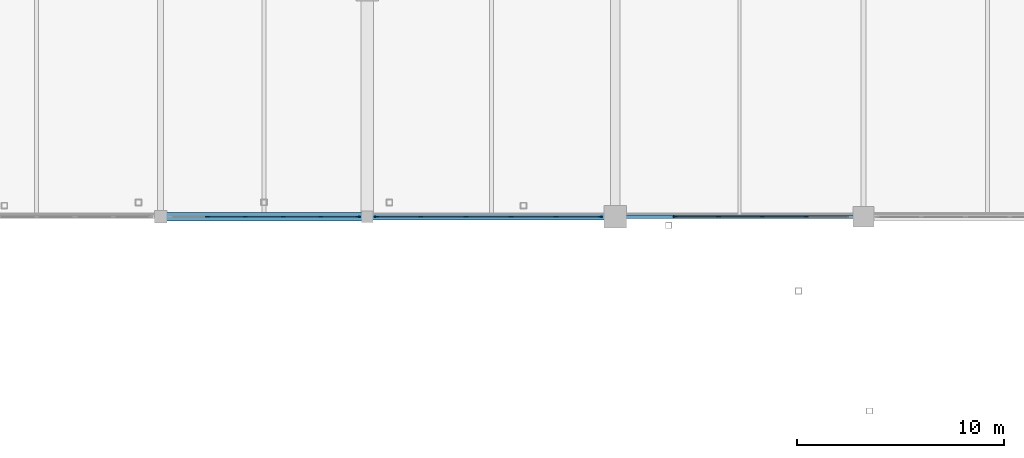
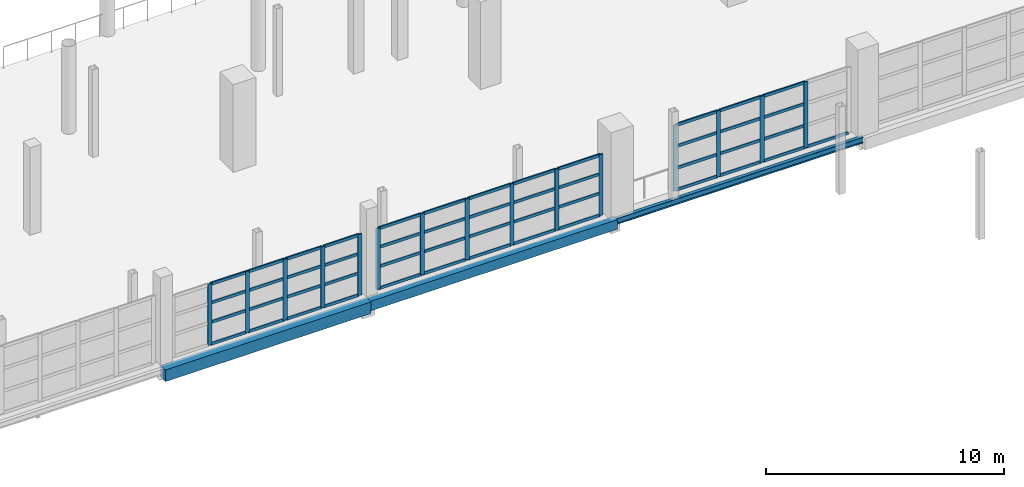
# One storey, part 45 of 118: 64 members, 3 beams, 3 elements without a shape of their own.
"""IFC4 building model written with IfcOpenShell, lengths in metres."""

from ifc_helpers import new_model, si_unit, direction, frame, origin, origin_2d, place, context, subcontext, project, spatial, rectangle, hollow_rectangle, i_section, extrude, material, material_profile, profile_set, type_object, element, aggregate, save


model = new_model("IFC4")

# Units and contexts
model_context = context("Model", 3, precision=1e-05, world=origin(), true_north=direction((0.0, 1.0)))
body_context = subcontext(model_context, "Body", "Model", "MODEL_VIEW")
ifc_project = project(units=[si_unit("LENGTHUNIT", "METRE"), si_unit("AREAUNIT", "SQUARE_METRE"), si_unit("VOLUMEUNIT", "CUBIC_METRE"), si_unit("PLANEANGLEUNIT", "RADIAN"), si_unit("MASSUNIT", "GRAM", prefix="KILO")], contexts=[model_context])

# Site, building, storey
site_placement = place(None, origin())
site = spatial("IfcSite", under=ifc_project, at=site_placement, CompositionType="ELEMENT")
building_placement = place(site_placement, origin())
building = spatial("IfcBuilding", under=site, at=building_placement, Name="Luwafu Chhajja Arena", CompositionType="ELEMENT")
storey_placement = place(building_placement, frame((0.0, 0.0, 10.199951171875)))
storey = spatial("IfcBuildingStorey", under=building, at=storey_placement, Name="L02", CompositionType="ELEMENT", Elevation=10.199951171875)

# Curtain wall, members
ifc_material_1 = material(Name="Anodised bronze aluminium", Category="aluminium")
curtain_wall_type = type_object("IfcCurtainWallType", Name="Hospitality Ring Curtain Wall", PredefinedType="USERDEFINED", material=ifc_material_1)
curtain_wall_1_placement = place(storey_placement, origin())
curtain_wall_1 = element("IfcCurtainWall", 1, at=curtain_wall_1_placement, inside=storey, type_object=curtain_wall_type, Name="L02 Bowl Viewing Curtain Wall CWR-L02-11", ObjectType="CURTAIN WALL", PredefinedType="USERDEFINED")
ifc_material_profile_1 = material_profile(ifc_material_1, rectangle(XDim=0.06494140625, YDim=0.199951171875, at=origin_2d()), Name="CWM 65x200")
ifc_profile_set_1 = profile_set([ifc_material_profile_1], Name="Anodised bronze aluminium")
member_type_1 = type_object("IfcMemberType", Name="Bronze Curtain Wall Mullion 65x200", PredefinedType="MULLION", material=ifc_profile_set_1)
member_1_placement = place(storey_placement, frame((96.26904296875, 77.0, 0.0), z_axis=(0.0, 0.0, 1.0), x_axis=(0.0, 1.0, 0.0)))
member_1 = element("IfcMember", 2, at=member_1_placement, type_object=member_type_1, Name="CW-02 mullion 2", PredefinedType="MULLION", context=body_context, shape_type="SweptSolid", body=[
    extrude(rectangle(XDim=0.06494140625, YDim=0.199951171875, at=origin_2d()), origin(), (0.0, 0.0, 1.0), 3.14013671875),
])
member_2_placement = place(storey_placement, frame((98.097900390625, 77.0, 0.0), z_axis=(0.0, 0.0, 1.0), x_axis=(0.0, 1.0, 0.0)))
member_2 = element("IfcMember", 3, at=member_2_placement, type_object=member_type_1, Name="CW-02 mullion 3", PredefinedType="MULLION", context=body_context, shape_type="SweptSolid", body=[
    extrude(rectangle(XDim=0.06494140625, YDim=0.199951171875, at=origin_2d()), origin(), (0.0, 0.0, 1.0), 3.14013671875),
])
member_3_placement = place(storey_placement, frame((99.927001953125, 77.0, 0.0), z_axis=(0.0, 0.0, 1.0), x_axis=(0.0, 1.0, 0.0)))
member_3 = element("IfcMember", 4, at=member_3_placement, type_object=member_type_1, Name="CW-02 mullion 4", PredefinedType="MULLION", context=body_context, shape_type="SweptSolid", body=[
    extrude(rectangle(XDim=0.06494140625, YDim=0.199951171875, at=origin_2d()), origin(), (0.0, 0.0, 1.0), 3.14013671875),
])
member_4_placement = place(storey_placement, frame((101.756103515625, 77.0, 0.0), z_axis=(0.0, 0.0, 1.0), x_axis=(0.0, 1.0, 0.0)))
member_4 = element("IfcMember", 5, at=member_4_placement, type_object=member_type_1, Name="CW-02 mullion 5", PredefinedType="MULLION", context=body_context, shape_type="SweptSolid", body=[
    extrude(rectangle(XDim=0.06494140625, YDim=0.199951171875, at=origin_2d()), origin(), (0.0, 0.0, 1.0), 3.14013671875),
])
member_5_placement = place(storey_placement, frame((103.552490234375, 77.0, 0.0), z_axis=(0.0, 0.0, 1.0), x_axis=(0.0, 1.0, 0.0)))
member_5 = element("IfcMember", 6, at=member_5_placement, type_object=member_type_1, Name="CW-02 mullion 6", PredefinedType="MULLION", context=body_context, shape_type="SweptSolid", body=[
    extrude(rectangle(XDim=0.06494140625, YDim=0.199951171875, at=origin_2d()), origin(), (0.0, 0.0, 1.0), 3.14013671875),
])

curtain_wall_2_placement = place(storey_placement, origin())
curtain_wall_2 = element("IfcCurtainWall", 7, at=curtain_wall_2_placement, inside=storey, type_object=curtain_wall_type, Name="L02 Bowl Viewing Curtain Wall CWR-L02-12", ObjectType="CURTAIN WALL", PredefinedType="USERDEFINED")
member_6_placement = place(storey_placement, frame((104.447509765625, 77.0, 0.0), z_axis=(0.0, 0.0, 1.0), x_axis=(0.0, 1.0, 0.0)))
member_6 = element("IfcMember", 8, at=member_6_placement, type_object=member_type_1, Name="CW-02 mullion 1", PredefinedType="MULLION", context=body_context, shape_type="SweptSolid", body=[
    extrude(rectangle(XDim=0.06494140625, YDim=0.199951171875, at=origin_2d()), origin(), (0.0, 0.0, 1.0), 3.14013671875),
])
member_7_placement = place(storey_placement, frame((106.593994140625, 77.0, 0.0), z_axis=(0.0, 0.0, 1.0), x_axis=(0.0, 1.0, 0.0)))
member_7 = element("IfcMember", 9, at=member_7_placement, type_object=member_type_1, Name="CW-02 mullion 2", PredefinedType="MULLION", context=body_context, shape_type="SweptSolid", body=[
    extrude(rectangle(XDim=0.06494140625, YDim=0.199951171875, at=origin_2d()), origin(), (0.0, 0.0, 1.0), 3.14013671875),
])
member_8_placement = place(storey_placement, frame((108.77294921875, 77.0, 0.0), z_axis=(0.0, 0.0, 1.0), x_axis=(0.0, 1.0, 0.0)))
member_8 = element("IfcMember", 10, at=member_8_placement, type_object=member_type_1, Name="CW-02 mullion 3", PredefinedType="MULLION", context=body_context, shape_type="SweptSolid", body=[
    extrude(rectangle(XDim=0.06494140625, YDim=0.199951171875, at=origin_2d()), origin(), (0.0, 0.0, 1.0), 3.14013671875),
])
member_9_placement = place(storey_placement, frame((110.951904296875, 77.0, 0.0), z_axis=(0.0, 0.0, 1.0), x_axis=(0.0, 1.0, 0.0)))
member_9 = element("IfcMember", 11, at=member_9_placement, type_object=member_type_1, Name="CW-02 mullion 4", PredefinedType="MULLION", context=body_context, shape_type="SweptSolid", body=[
    extrude(rectangle(XDim=0.06494140625, YDim=0.199951171875, at=origin_2d()), origin(), (0.0, 0.0, 1.0), 3.14013671875),
])
member_10_placement = place(storey_placement, frame((113.131103515625, 77.0, 0.0), z_axis=(0.0, 0.0, 1.0), x_axis=(0.0, 1.0, 0.0)))
member_10 = element("IfcMember", 12, at=member_10_placement, type_object=member_type_1, Name="CW-02 mullion 5", PredefinedType="MULLION", context=body_context, shape_type="SweptSolid", body=[
    extrude(rectangle(XDim=0.06494140625, YDim=0.199951171875, at=origin_2d()), origin(), (0.0, 0.0, 1.0), 3.14013671875),
])
member_11_placement = place(storey_placement, frame((115.277587890625, 77.0, 0.0), z_axis=(0.0, 0.0, 1.0), x_axis=(0.0, 1.0, 0.0)))
member_11 = element("IfcMember", 13, at=member_11_placement, type_object=member_type_1, Name="CW-02 mullion 6", PredefinedType="MULLION", context=body_context, shape_type="SweptSolid", body=[
    extrude(rectangle(XDim=0.06494140625, YDim=0.199951171875, at=origin_2d()), origin(), (0.0, 0.0, 1.0), 3.14013671875),
])

curtain_wall_3_placement = place(storey_placement, origin())
curtain_wall_3 = element("IfcCurtainWall", 14, at=curtain_wall_3_placement, inside=storey, type_object=curtain_wall_type, Name="L02 Bowl Viewing Curtain Wall CWR-L02-13", ObjectType="CURTAIN WALL", PredefinedType="USERDEFINED")
member_12_placement = place(storey_placement, frame((118.899169921875, 77.0, 0.0), z_axis=(0.0, 0.0, 1.0), x_axis=(0.0, 1.0, 0.0)))
member_12 = element("IfcMember", 15, at=member_12_placement, type_object=member_type_1, Name="CW-02 mullion 1", PredefinedType="MULLION", context=body_context, shape_type="SweptSolid", body=[
    extrude(rectangle(XDim=0.06494140625, YDim=0.199951171875, at=origin_2d()), origin(), (0.0, 0.0, 1.0), 3.39013671875),
])
member_13_placement = place(storey_placement, frame((120.989990234375, 77.0, 0.0), z_axis=(0.0, 0.0, 1.0), x_axis=(0.0, 1.0, 0.0)))
member_13 = element("IfcMember", 16, at=member_13_placement, type_object=member_type_1, Name="CW-02 mullion 2", PredefinedType="MULLION", context=body_context, shape_type="SweptSolid", body=[
    extrude(rectangle(XDim=0.06494140625, YDim=0.199951171875, at=origin_2d()), origin(), (0.0, 0.0, 1.0), 3.39013671875),
])
member_14_placement = place(storey_placement, frame((123.11328125, 77.0, 0.0), z_axis=(0.0, 0.0, 1.0), x_axis=(0.0, 1.0, 0.0)))
member_14 = element("IfcMember", 17, at=member_14_placement, type_object=member_type_1, Name="CW-02 mullion 3", PredefinedType="MULLION", context=body_context, shape_type="SweptSolid", body=[
    extrude(rectangle(XDim=0.06494140625, YDim=0.199951171875, at=origin_2d()), origin(), (0.0, 0.0, 1.0), 3.39013671875),
])
member_15_placement = place(storey_placement, frame((125.236572265625, 77.0, 0.0), z_axis=(0.0, 0.0, 1.0), x_axis=(0.0, 1.0, 0.0)))
member_15 = element("IfcMember", 18, at=member_15_placement, type_object=member_type_1, Name="CW-02 mullion 4", PredefinedType="MULLION", context=body_context, shape_type="SweptSolid", body=[
    extrude(rectangle(XDim=0.06494140625, YDim=0.199951171875, at=origin_2d()), origin(), (0.0, 0.0, 1.0), 3.39013671875),
])

# Member
ifc_material_profile_2 = material_profile(ifc_material_1, rectangle(XDim=0.06494140625, YDim=0.14990234375, at=origin_2d()), Name="CWT 65x150")
ifc_profile_set_2 = profile_set([ifc_material_profile_2], Name="Anodised bronze aluminium")
member_type_2 = type_object("IfcMemberType", Name="Bronze Curtain Wall Transom 65x150", PredefinedType="USERDEFINED", material=ifc_profile_set_2)
member_16_placement = place(storey_placement, frame((96.301513671875, 77.0, 0.032470703125), z_axis=(1.0, 0.0, 0.0), x_axis=(0.0, 1.0, 0.0)))
member_16 = element("IfcMember", 19, at=member_16_placement, type_object=member_type_2, Name="CW-02 transom 2.1", ObjectType="TRANSOM", PredefinedType="USERDEFINED", context=body_context, shape_type="SweptSolid", body=[
    extrude(rectangle(XDim=0.06494140625, YDim=0.14990234375, at=origin_2d()), origin(), (0.0, 0.0, 1.0), 1.763916015625),
])

member_17_placement = place(storey_placement, frame((96.301513671875, 77.0, 1.150146484375), z_axis=(1.0, 0.0, 0.0), x_axis=(0.0, 1.0, 0.0)))
member_17 = element("IfcMember", 20, at=member_17_placement, type_object=member_type_2, Name="CW-02 transom 2.2", ObjectType="TRANSOM", PredefinedType="USERDEFINED", context=body_context, shape_type="SweptSolid", body=[
    extrude(rectangle(XDim=0.06494140625, YDim=0.14990234375, at=origin_2d()), origin(), (0.0, 0.0, 1.0), 1.763916015625),
])

member_18_placement = place(storey_placement, frame((96.301513671875, 77.0, 2.14501953125), z_axis=(1.0, 0.0, 0.0), x_axis=(0.0, 1.0, 0.0)))
member_18 = element("IfcMember", 21, at=member_18_placement, type_object=member_type_2, Name="CW-02 transom 2.3", ObjectType="TRANSOM", PredefinedType="USERDEFINED", context=body_context, shape_type="SweptSolid", body=[
    extrude(rectangle(XDim=0.06494140625, YDim=0.14990234375, at=origin_2d()), origin(), (0.0, 0.0, 1.0), 1.763916015625),
])

member_19_placement = place(storey_placement, frame((96.301513671875, 77.0, 3.107666015625), z_axis=(1.0, 0.0, 0.0), x_axis=(0.0, 1.0, 0.0)))
member_19 = element("IfcMember", 22, at=member_19_placement, type_object=member_type_2, Name="CW-02 transom 2.4", ObjectType="TRANSOM", PredefinedType="USERDEFINED", context=body_context, shape_type="SweptSolid", body=[
    extrude(rectangle(XDim=0.06494140625, YDim=0.14990234375, at=origin_2d()), origin(), (0.0, 0.0, 1.0), 1.763916015625),
])

member_20_placement = place(storey_placement, frame((98.130615234375, 77.0, 0.032470703125), z_axis=(1.0, 0.0, 0.0), x_axis=(0.0, 1.0, 0.0)))
member_20 = element("IfcMember", 23, at=member_20_placement, type_object=member_type_2, Name="CW-02 transom 3.1", ObjectType="TRANSOM", PredefinedType="USERDEFINED", context=body_context, shape_type="SweptSolid", body=[
    extrude(rectangle(XDim=0.06494140625, YDim=0.14990234375, at=origin_2d()), origin(), (0.0, 0.0, 1.0), 1.763916015625),
])

member_21_placement = place(storey_placement, frame((98.130615234375, 77.0, 1.150146484375), z_axis=(1.0, 0.0, 0.0), x_axis=(0.0, 1.0, 0.0)))
member_21 = element("IfcMember", 24, at=member_21_placement, type_object=member_type_2, Name="CW-02 transom 3.2", ObjectType="TRANSOM", PredefinedType="USERDEFINED", context=body_context, shape_type="SweptSolid", body=[
    extrude(rectangle(XDim=0.06494140625, YDim=0.14990234375, at=origin_2d()), origin(), (0.0, 0.0, 1.0), 1.763916015625),
])

member_22_placement = place(storey_placement, frame((98.130615234375, 77.0, 2.14501953125), z_axis=(1.0, 0.0, 0.0), x_axis=(0.0, 1.0, 0.0)))
member_22 = element("IfcMember", 25, at=member_22_placement, type_object=member_type_2, Name="CW-02 transom 3.3", ObjectType="TRANSOM", PredefinedType="USERDEFINED", context=body_context, shape_type="SweptSolid", body=[
    extrude(rectangle(XDim=0.06494140625, YDim=0.14990234375, at=origin_2d()), origin(), (0.0, 0.0, 1.0), 1.763916015625),
])

member_23_placement = place(storey_placement, frame((98.130615234375, 77.0, 3.107666015625), z_axis=(1.0, 0.0, 0.0), x_axis=(0.0, 1.0, 0.0)))
member_23 = element("IfcMember", 26, at=member_23_placement, type_object=member_type_2, Name="CW-02 transom 3.4", ObjectType="TRANSOM", PredefinedType="USERDEFINED", context=body_context, shape_type="SweptSolid", body=[
    extrude(rectangle(XDim=0.06494140625, YDim=0.14990234375, at=origin_2d()), origin(), (0.0, 0.0, 1.0), 1.763916015625),
])

member_24_placement = place(storey_placement, frame((99.95947265625, 77.0, 0.032470703125), z_axis=(1.0, 0.0, 0.0), x_axis=(0.0, 1.0, 0.0)))
member_24 = element("IfcMember", 27, at=member_24_placement, type_object=member_type_2, Name="CW-02 transom 4.1", ObjectType="TRANSOM", PredefinedType="USERDEFINED", context=body_context, shape_type="SweptSolid", body=[
    extrude(rectangle(XDim=0.06494140625, YDim=0.14990234375, at=origin_2d()), origin(), (0.0, 0.0, 1.0), 1.763916015625),
])

member_25_placement = place(storey_placement, frame((99.95947265625, 77.0, 1.150146484375), z_axis=(1.0, 0.0, 0.0), x_axis=(0.0, 1.0, 0.0)))
member_25 = element("IfcMember", 28, at=member_25_placement, type_object=member_type_2, Name="CW-02 transom 4.2", ObjectType="TRANSOM", PredefinedType="USERDEFINED", context=body_context, shape_type="SweptSolid", body=[
    extrude(rectangle(XDim=0.06494140625, YDim=0.14990234375, at=origin_2d()), origin(), (0.0, 0.0, 1.0), 1.763916015625),
])

member_26_placement = place(storey_placement, frame((99.95947265625, 77.0, 2.14501953125), z_axis=(1.0, 0.0, 0.0), x_axis=(0.0, 1.0, 0.0)))
member_26 = element("IfcMember", 29, at=member_26_placement, type_object=member_type_2, Name="CW-02 transom 4.3", ObjectType="TRANSOM", PredefinedType="USERDEFINED", context=body_context, shape_type="SweptSolid", body=[
    extrude(rectangle(XDim=0.06494140625, YDim=0.14990234375, at=origin_2d()), origin(), (0.0, 0.0, 1.0), 1.763916015625),
])

member_27_placement = place(storey_placement, frame((99.95947265625, 77.0, 3.107666015625), z_axis=(1.0, 0.0, 0.0), x_axis=(0.0, 1.0, 0.0)))
member_27 = element("IfcMember", 30, at=member_27_placement, type_object=member_type_2, Name="CW-02 transom 4.4", ObjectType="TRANSOM", PredefinedType="USERDEFINED", context=body_context, shape_type="SweptSolid", body=[
    extrude(rectangle(XDim=0.06494140625, YDim=0.14990234375, at=origin_2d()), origin(), (0.0, 0.0, 1.0), 1.763916015625),
])

member_28_placement = place(storey_placement, frame((101.78857421875, 77.0, 0.032470703125), z_axis=(1.0, 0.0, 0.0), x_axis=(0.0, 1.0, 0.0)))
member_28 = element("IfcMember", 31, at=member_28_placement, type_object=member_type_2, Name="CW-02 transom 5.1", ObjectType="TRANSOM", PredefinedType="USERDEFINED", context=body_context, shape_type="SweptSolid", body=[
    extrude(rectangle(XDim=0.06494140625, YDim=0.14990234375, at=origin_2d()), origin(), (0.0, 0.0, 1.0), 1.7314453125),
])

member_29_placement = place(storey_placement, frame((101.78857421875, 77.0, 1.150146484375), z_axis=(1.0, 0.0, 0.0), x_axis=(0.0, 1.0, 0.0)))
member_29 = element("IfcMember", 32, at=member_29_placement, type_object=member_type_2, Name="CW-02 transom 5.2", ObjectType="TRANSOM", PredefinedType="USERDEFINED", context=body_context, shape_type="SweptSolid", body=[
    extrude(rectangle(XDim=0.06494140625, YDim=0.14990234375, at=origin_2d()), origin(), (0.0, 0.0, 1.0), 1.7314453125),
])

member_30_placement = place(storey_placement, frame((101.78857421875, 77.0, 2.14501953125), z_axis=(1.0, 0.0, 0.0), x_axis=(0.0, 1.0, 0.0)))
member_30 = element("IfcMember", 33, at=member_30_placement, type_object=member_type_2, Name="CW-02 transom 5.3", ObjectType="TRANSOM", PredefinedType="USERDEFINED", context=body_context, shape_type="SweptSolid", body=[
    extrude(rectangle(XDim=0.06494140625, YDim=0.14990234375, at=origin_2d()), origin(), (0.0, 0.0, 1.0), 1.7314453125),
])

member_31_placement = place(storey_placement, frame((101.78857421875, 77.0, 3.107666015625), z_axis=(1.0, 0.0, 0.0), x_axis=(0.0, 1.0, 0.0)))
member_31 = element("IfcMember", 34, at=member_31_placement, type_object=member_type_2, Name="CW-02 transom 5.4", ObjectType="TRANSOM", PredefinedType="USERDEFINED", context=body_context, shape_type="SweptSolid", body=[
    extrude(rectangle(XDim=0.06494140625, YDim=0.14990234375, at=origin_2d()), origin(), (0.0, 0.0, 1.0), 1.7314453125),
])

aggregate(curtain_wall_1, [member_1, member_2, member_3, member_4, member_5, member_16, member_17, member_18, member_19, member_20, member_21, member_22, member_23, member_24, member_25, member_26, member_27, member_28, member_29, member_30, member_31])

member_32_placement = place(storey_placement, frame((104.47998046875, 77.0, 0.032470703125), z_axis=(1.0, 0.0, 0.0), x_axis=(0.0, 1.0, 0.0)))
member_32 = element("IfcMember", 35, at=member_32_placement, type_object=member_type_2, Name="CW-02 transom 1.1", ObjectType="TRANSOM", PredefinedType="USERDEFINED", context=body_context, shape_type="SweptSolid", body=[
    extrude(rectangle(XDim=0.06494140625, YDim=0.14990234375, at=origin_2d()), origin(), (0.0, 0.0, 1.0), 2.08154296875),
])

member_33_placement = place(storey_placement, frame((104.47998046875, 77.0, 1.150146484375), z_axis=(1.0, 0.0, 0.0), x_axis=(0.0, 1.0, 0.0)))
member_33 = element("IfcMember", 36, at=member_33_placement, type_object=member_type_2, Name="CW-02 transom 1.2", ObjectType="TRANSOM", PredefinedType="USERDEFINED", context=body_context, shape_type="SweptSolid", body=[
    extrude(rectangle(XDim=0.06494140625, YDim=0.14990234375, at=origin_2d()), origin(), (0.0, 0.0, 1.0), 2.08154296875),
])

member_34_placement = place(storey_placement, frame((104.47998046875, 77.0, 2.14501953125), z_axis=(1.0, 0.0, 0.0), x_axis=(0.0, 1.0, 0.0)))
member_34 = element("IfcMember", 37, at=member_34_placement, type_object=member_type_2, Name="CW-02 transom 1.3", ObjectType="TRANSOM", PredefinedType="USERDEFINED", context=body_context, shape_type="SweptSolid", body=[
    extrude(rectangle(XDim=0.06494140625, YDim=0.14990234375, at=origin_2d()), origin(), (0.0, 0.0, 1.0), 2.08154296875),
])

member_35_placement = place(storey_placement, frame((104.47998046875, 77.0, 3.107666015625), z_axis=(1.0, 0.0, 0.0), x_axis=(0.0, 1.0, 0.0)))
member_35 = element("IfcMember", 38, at=member_35_placement, type_object=member_type_2, Name="CW-02 transom 1.4", ObjectType="TRANSOM", PredefinedType="USERDEFINED", context=body_context, shape_type="SweptSolid", body=[
    extrude(rectangle(XDim=0.06494140625, YDim=0.14990234375, at=origin_2d()), origin(), (0.0, 0.0, 1.0), 2.08154296875),
])

member_36_placement = place(storey_placement, frame((106.62646484375, 77.0, 0.032470703125), z_axis=(1.0, 0.0, 0.0), x_axis=(0.0, 1.0, 0.0)))
member_36 = element("IfcMember", 39, at=member_36_placement, type_object=member_type_2, Name="CW-02 transom 2.1", ObjectType="TRANSOM", PredefinedType="USERDEFINED", context=body_context, shape_type="SweptSolid", body=[
    extrude(rectangle(XDim=0.06494140625, YDim=0.14990234375, at=origin_2d()), origin(), (0.0, 0.0, 1.0), 2.114013671875),
])

member_37_placement = place(storey_placement, frame((106.62646484375, 77.0, 1.150146484375), z_axis=(1.0, 0.0, 0.0), x_axis=(0.0, 1.0, 0.0)))
member_37 = element("IfcMember", 40, at=member_37_placement, type_object=member_type_2, Name="CW-02 transom 2.2", ObjectType="TRANSOM", PredefinedType="USERDEFINED", context=body_context, shape_type="SweptSolid", body=[
    extrude(rectangle(XDim=0.06494140625, YDim=0.14990234375, at=origin_2d()), origin(), (0.0, 0.0, 1.0), 2.114013671875),
])

member_38_placement = place(storey_placement, frame((106.62646484375, 77.0, 2.14501953125), z_axis=(1.0, 0.0, 0.0), x_axis=(0.0, 1.0, 0.0)))
member_38 = element("IfcMember", 41, at=member_38_placement, type_object=member_type_2, Name="CW-02 transom 2.3", ObjectType="TRANSOM", PredefinedType="USERDEFINED", context=body_context, shape_type="SweptSolid", body=[
    extrude(rectangle(XDim=0.06494140625, YDim=0.14990234375, at=origin_2d()), origin(), (0.0, 0.0, 1.0), 2.114013671875),
])

member_39_placement = place(storey_placement, frame((106.62646484375, 77.0, 3.107666015625), z_axis=(1.0, 0.0, 0.0), x_axis=(0.0, 1.0, 0.0)))
member_39 = element("IfcMember", 42, at=member_39_placement, type_object=member_type_2, Name="CW-02 transom 2.4", ObjectType="TRANSOM", PredefinedType="USERDEFINED", context=body_context, shape_type="SweptSolid", body=[
    extrude(rectangle(XDim=0.06494140625, YDim=0.14990234375, at=origin_2d()), origin(), (0.0, 0.0, 1.0), 2.114013671875),
])

member_40_placement = place(storey_placement, frame((108.805419921875, 77.0, 0.032470703125), z_axis=(1.0, 0.0, 0.0), x_axis=(0.0, 1.0, 0.0)))
member_40 = element("IfcMember", 43, at=member_40_placement, type_object=member_type_2, Name="CW-02 transom 3.1", ObjectType="TRANSOM", PredefinedType="USERDEFINED", context=body_context, shape_type="SweptSolid", body=[
    extrude(rectangle(XDim=0.06494140625, YDim=0.14990234375, at=origin_2d()), origin(), (0.0, 0.0, 1.0), 2.114013671875),
])

member_41_placement = place(storey_placement, frame((108.805419921875, 77.0, 1.150146484375), z_axis=(1.0, 0.0, 0.0), x_axis=(0.0, 1.0, 0.0)))
member_41 = element("IfcMember", 44, at=member_41_placement, type_object=member_type_2, Name="CW-02 transom 3.2", ObjectType="TRANSOM", PredefinedType="USERDEFINED", context=body_context, shape_type="SweptSolid", body=[
    extrude(rectangle(XDim=0.06494140625, YDim=0.14990234375, at=origin_2d()), origin(), (0.0, 0.0, 1.0), 2.114013671875),
])

member_42_placement = place(storey_placement, frame((108.805419921875, 77.0, 2.14501953125), z_axis=(1.0, 0.0, 0.0), x_axis=(0.0, 1.0, 0.0)))
member_42 = element("IfcMember", 45, at=member_42_placement, type_object=member_type_2, Name="CW-02 transom 3.3", ObjectType="TRANSOM", PredefinedType="USERDEFINED", context=body_context, shape_type="SweptSolid", body=[
    extrude(rectangle(XDim=0.06494140625, YDim=0.14990234375, at=origin_2d()), origin(), (0.0, 0.0, 1.0), 2.114013671875),
])

member_43_placement = place(storey_placement, frame((108.805419921875, 77.0, 3.107666015625), z_axis=(1.0, 0.0, 0.0), x_axis=(0.0, 1.0, 0.0)))
member_43 = element("IfcMember", 46, at=member_43_placement, type_object=member_type_2, Name="CW-02 transom 3.4", ObjectType="TRANSOM", PredefinedType="USERDEFINED", context=body_context, shape_type="SweptSolid", body=[
    extrude(rectangle(XDim=0.06494140625, YDim=0.14990234375, at=origin_2d()), origin(), (0.0, 0.0, 1.0), 2.114013671875),
])

member_44_placement = place(storey_placement, frame((110.984619140625, 77.0, 0.032470703125), z_axis=(1.0, 0.0, 0.0), x_axis=(0.0, 1.0, 0.0)))
member_44 = element("IfcMember", 47, at=member_44_placement, type_object=member_type_2, Name="CW-02 transom 4.1", ObjectType="TRANSOM", PredefinedType="USERDEFINED", context=body_context, shape_type="SweptSolid", body=[
    extrude(rectangle(XDim=0.06494140625, YDim=0.14990234375, at=origin_2d()), origin(), (0.0, 0.0, 1.0), 2.11376953125),
])

member_45_placement = place(storey_placement, frame((110.984619140625, 77.0, 1.150146484375), z_axis=(1.0, 0.0, 0.0), x_axis=(0.0, 1.0, 0.0)))
member_45 = element("IfcMember", 48, at=member_45_placement, type_object=member_type_2, Name="CW-02 transom 4.2", ObjectType="TRANSOM", PredefinedType="USERDEFINED", context=body_context, shape_type="SweptSolid", body=[
    extrude(rectangle(XDim=0.06494140625, YDim=0.14990234375, at=origin_2d()), origin(), (0.0, 0.0, 1.0), 2.11376953125),
])

member_46_placement = place(storey_placement, frame((110.984619140625, 77.0, 2.14501953125), z_axis=(1.0, 0.0, 0.0), x_axis=(0.0, 1.0, 0.0)))
member_46 = element("IfcMember", 49, at=member_46_placement, type_object=member_type_2, Name="CW-02 transom 4.3", ObjectType="TRANSOM", PredefinedType="USERDEFINED", context=body_context, shape_type="SweptSolid", body=[
    extrude(rectangle(XDim=0.06494140625, YDim=0.14990234375, at=origin_2d()), origin(), (0.0, 0.0, 1.0), 2.11376953125),
])

member_47_placement = place(storey_placement, frame((110.984619140625, 77.0, 3.107666015625), z_axis=(1.0, 0.0, 0.0), x_axis=(0.0, 1.0, 0.0)))
member_47 = element("IfcMember", 50, at=member_47_placement, type_object=member_type_2, Name="CW-02 transom 4.4", ObjectType="TRANSOM", PredefinedType="USERDEFINED", context=body_context, shape_type="SweptSolid", body=[
    extrude(rectangle(XDim=0.06494140625, YDim=0.14990234375, at=origin_2d()), origin(), (0.0, 0.0, 1.0), 2.11376953125),
])

member_48_placement = place(storey_placement, frame((113.16357421875, 77.0, 0.032470703125), z_axis=(1.0, 0.0, 0.0), x_axis=(0.0, 1.0, 0.0)))
member_48 = element("IfcMember", 51, at=member_48_placement, type_object=member_type_2, Name="CW-02 transom 5.1", ObjectType="TRANSOM", PredefinedType="USERDEFINED", context=body_context, shape_type="SweptSolid", body=[
    extrude(rectangle(XDim=0.06494140625, YDim=0.14990234375, at=origin_2d()), origin(), (0.0, 0.0, 1.0), 2.08154296875),
])

member_49_placement = place(storey_placement, frame((113.16357421875, 77.0, 1.150146484375), z_axis=(1.0, 0.0, 0.0), x_axis=(0.0, 1.0, 0.0)))
member_49 = element("IfcMember", 52, at=member_49_placement, type_object=member_type_2, Name="CW-02 transom 5.2", ObjectType="TRANSOM", PredefinedType="USERDEFINED", context=body_context, shape_type="SweptSolid", body=[
    extrude(rectangle(XDim=0.06494140625, YDim=0.14990234375, at=origin_2d()), origin(), (0.0, 0.0, 1.0), 2.08154296875),
])

member_50_placement = place(storey_placement, frame((113.16357421875, 77.0, 2.14501953125), z_axis=(1.0, 0.0, 0.0), x_axis=(0.0, 1.0, 0.0)))
member_50 = element("IfcMember", 53, at=member_50_placement, type_object=member_type_2, Name="CW-02 transom 5.3", ObjectType="TRANSOM", PredefinedType="USERDEFINED", context=body_context, shape_type="SweptSolid", body=[
    extrude(rectangle(XDim=0.06494140625, YDim=0.14990234375, at=origin_2d()), origin(), (0.0, 0.0, 1.0), 2.08154296875),
])

member_51_placement = place(storey_placement, frame((113.16357421875, 77.0, 3.107666015625), z_axis=(1.0, 0.0, 0.0), x_axis=(0.0, 1.0, 0.0)))
member_51 = element("IfcMember", 54, at=member_51_placement, type_object=member_type_2, Name="CW-02 transom 5.4", ObjectType="TRANSOM", PredefinedType="USERDEFINED", context=body_context, shape_type="SweptSolid", body=[
    extrude(rectangle(XDim=0.06494140625, YDim=0.14990234375, at=origin_2d()), origin(), (0.0, 0.0, 1.0), 2.08154296875),
])

aggregate(curtain_wall_2, [member_6, member_7, member_8, member_9, member_10, member_11, member_32, member_33, member_34, member_35, member_36, member_37, member_38, member_39, member_40, member_41, member_42, member_43, member_44, member_45, member_46, member_47, member_48, member_49, member_50, member_51])

member_52_placement = place(storey_placement, frame((118.931640625, 77.0, 0.032470703125), z_axis=(1.0, 0.0, 0.0), x_axis=(0.0, 1.0, 0.0)))
member_52 = element("IfcMember", 55, at=member_52_placement, type_object=member_type_2, Name="CW-02 transom 1.1", ObjectType="TRANSOM", PredefinedType="USERDEFINED", context=body_context, shape_type="SweptSolid", body=[
    extrude(rectangle(XDim=0.06494140625, YDim=0.14990234375, at=origin_2d()), origin(), (0.0, 0.0, 1.0), 2.02587890625),
])

member_53_placement = place(storey_placement, frame((118.931640625, 77.0, 1.150146484375), z_axis=(1.0, 0.0, 0.0), x_axis=(0.0, 1.0, 0.0)))
member_53 = element("IfcMember", 56, at=member_53_placement, type_object=member_type_2, Name="CW-02 transom 1.2", ObjectType="TRANSOM", PredefinedType="USERDEFINED", context=body_context, shape_type="SweptSolid", body=[
    extrude(rectangle(XDim=0.06494140625, YDim=0.14990234375, at=origin_2d()), origin(), (0.0, 0.0, 1.0), 2.02587890625),
])

member_54_placement = place(storey_placement, frame((118.931640625, 77.0, 2.27001953125), z_axis=(1.0, 0.0, 0.0), x_axis=(0.0, 1.0, 0.0)))
member_54 = element("IfcMember", 57, at=member_54_placement, type_object=member_type_2, Name="CW-02 transom 1.3", ObjectType="TRANSOM", PredefinedType="USERDEFINED", context=body_context, shape_type="SweptSolid", body=[
    extrude(rectangle(XDim=0.06494140625, YDim=0.14990234375, at=origin_2d()), origin(), (0.0, 0.0, 1.0), 2.02587890625),
])

member_55_placement = place(storey_placement, frame((118.931640625, 77.0, 3.357666015625), z_axis=(1.0, 0.0, 0.0), x_axis=(0.0, 1.0, 0.0)))
member_55 = element("IfcMember", 58, at=member_55_placement, type_object=member_type_2, Name="CW-02 transom 1.4", ObjectType="TRANSOM", PredefinedType="USERDEFINED", context=body_context, shape_type="SweptSolid", body=[
    extrude(rectangle(XDim=0.06494140625, YDim=0.14990234375, at=origin_2d()), origin(), (0.0, 0.0, 1.0), 2.02587890625),
])

member_56_placement = place(storey_placement, frame((121.0224609375, 77.0, 0.032470703125), z_axis=(1.0, 0.0, 0.0), x_axis=(0.0, 1.0, 0.0)))
member_56 = element("IfcMember", 59, at=member_56_placement, type_object=member_type_2, Name="CW-02 transom 2.1", ObjectType="TRANSOM", PredefinedType="USERDEFINED", context=body_context, shape_type="SweptSolid", body=[
    extrude(rectangle(XDim=0.06494140625, YDim=0.14990234375, at=origin_2d()), origin(), (0.0, 0.0, 1.0), 2.058349609375),
])

member_57_placement = place(storey_placement, frame((121.0224609375, 77.0, 1.150146484375), z_axis=(1.0, 0.0, 0.0), x_axis=(0.0, 1.0, 0.0)))
member_57 = element("IfcMember", 60, at=member_57_placement, type_object=member_type_2, Name="CW-02 transom 2.2", ObjectType="TRANSOM", PredefinedType="USERDEFINED", context=body_context, shape_type="SweptSolid", body=[
    extrude(rectangle(XDim=0.06494140625, YDim=0.14990234375, at=origin_2d()), origin(), (0.0, 0.0, 1.0), 2.058349609375),
])

member_58_placement = place(storey_placement, frame((121.0224609375, 77.0, 2.27001953125), z_axis=(1.0, 0.0, 0.0), x_axis=(0.0, 1.0, 0.0)))
member_58 = element("IfcMember", 61, at=member_58_placement, type_object=member_type_2, Name="CW-02 transom 2.3", ObjectType="TRANSOM", PredefinedType="USERDEFINED", context=body_context, shape_type="SweptSolid", body=[
    extrude(rectangle(XDim=0.06494140625, YDim=0.14990234375, at=origin_2d()), origin(), (0.0, 0.0, 1.0), 2.058349609375),
])

member_59_placement = place(storey_placement, frame((121.0224609375, 77.0, 3.357666015625), z_axis=(1.0, 0.0, 0.0), x_axis=(0.0, 1.0, 0.0)))
member_59 = element("IfcMember", 62, at=member_59_placement, type_object=member_type_2, Name="CW-02 transom 2.4", ObjectType="TRANSOM", PredefinedType="USERDEFINED", context=body_context, shape_type="SweptSolid", body=[
    extrude(rectangle(XDim=0.06494140625, YDim=0.14990234375, at=origin_2d()), origin(), (0.0, 0.0, 1.0), 2.058349609375),
])

member_60_placement = place(storey_placement, frame((123.145751953125, 77.0, 0.032470703125), z_axis=(1.0, 0.0, 0.0), x_axis=(0.0, 1.0, 0.0)))
member_60 = element("IfcMember", 63, at=member_60_placement, type_object=member_type_2, Name="CW-02 transom 3.1", ObjectType="TRANSOM", PredefinedType="USERDEFINED", context=body_context, shape_type="SweptSolid", body=[
    extrude(rectangle(XDim=0.06494140625, YDim=0.14990234375, at=origin_2d()), origin(), (0.0, 0.0, 1.0), 2.058349609375),
])

member_61_placement = place(storey_placement, frame((123.145751953125, 77.0, 1.150146484375), z_axis=(1.0, 0.0, 0.0), x_axis=(0.0, 1.0, 0.0)))
member_61 = element("IfcMember", 64, at=member_61_placement, type_object=member_type_2, Name="CW-02 transom 3.2", ObjectType="TRANSOM", PredefinedType="USERDEFINED", context=body_context, shape_type="SweptSolid", body=[
    extrude(rectangle(XDim=0.06494140625, YDim=0.14990234375, at=origin_2d()), origin(), (0.0, 0.0, 1.0), 2.058349609375),
])

member_62_placement = place(storey_placement, frame((123.145751953125, 77.0, 2.27001953125), z_axis=(1.0, 0.0, 0.0), x_axis=(0.0, 1.0, 0.0)))
member_62 = element("IfcMember", 65, at=member_62_placement, type_object=member_type_2, Name="CW-02 transom 3.3", ObjectType="TRANSOM", PredefinedType="USERDEFINED", context=body_context, shape_type="SweptSolid", body=[
    extrude(rectangle(XDim=0.06494140625, YDim=0.14990234375, at=origin_2d()), origin(), (0.0, 0.0, 1.0), 2.058349609375),
])

member_63_placement = place(storey_placement, frame((123.145751953125, 77.0, 3.357666015625), z_axis=(1.0, 0.0, 0.0), x_axis=(0.0, 1.0, 0.0)))
member_63 = element("IfcMember", 66, at=member_63_placement, type_object=member_type_2, Name="CW-02 transom 3.4", ObjectType="TRANSOM", PredefinedType="USERDEFINED", context=body_context, shape_type="SweptSolid", body=[
    extrude(rectangle(XDim=0.06494140625, YDim=0.14990234375, at=origin_2d()), origin(), (0.0, 0.0, 1.0), 2.058349609375),
])

member_64_placement = place(storey_placement, frame((125.26904296875, 77.0, 0.032470703125), z_axis=(1.0, 0.0, 0.0), x_axis=(0.0, 1.0, 0.0)))
member_64 = element("IfcMember", 67, at=member_64_placement, type_object=member_type_2, Name="CW-02 transom 4.1", ObjectType="TRANSOM", PredefinedType="USERDEFINED", context=body_context, shape_type="SweptSolid", body=[
    extrude(rectangle(XDim=0.06494140625, YDim=0.14990234375, at=origin_2d()), origin(), (0.0, 0.0, 1.0), 2.02587890625),
])

aggregate(curtain_wall_3, [member_12, member_13, member_14, member_15, member_52, member_53, member_54, member_55, member_56, member_57, member_58, member_59, member_60, member_61, member_62, member_63, member_64])

# Beams
ifc_material_2 = material(Name="Steel S355", Category="steel")
ifc_material_profile_3 = material_profile(ifc_material_2, i_section(OverallWidth=0.165771484375, OverallDepth=0.306640625, WebThickness=0.006591796875, FlangeThickness=0.01171875, at=origin_2d()), Name="UB 305x165x46")
ifc_profile_set_3 = profile_set([ifc_material_profile_3], Name="Steel S355")
beam_type_1 = type_object("IfcBeamType", Name="Concourse Edge Spandrel Beam UB 305x165x46", PredefinedType="SPANDREL", material=ifc_profile_set_3)
beam_1_placement = place(storey_placement, frame((116.0, 77.0, -0.543212890625), z_axis=(1.0, 0.0, 0.0), x_axis=(0.0, 1.0, 0.0)))
element("IfcBeam", 68, at=beam_1_placement, inside=storey, type_object=beam_type_1, Name="L02 Grid Beam 11-12/H", PredefinedType="SPANDREL", context=body_context, shape_type="SweptSolid", body=[
    extrude(i_section(OverallWidth=0.165771484375, OverallDepth=0.306640625, WebThickness=0.006591796875, FlangeThickness=0.01171875, at=origin_2d()), origin(), (0.0, 0.0, 1.0), 12.0),
])
ifc_material_profile_4 = material_profile(ifc_material_2, hollow_rectangle(XDim=0.300048828125, YDim=0.5, WallThickness=0.02001953125, at=origin_2d()), Name="RHS 500x300x20")
ifc_profile_set_4 = profile_set([ifc_material_profile_4], Name="Steel S355")
beam_type_2 = type_object("IfcBeamType", Name="Pleated Drum Spandrel Beam RHS 500x300", PredefinedType="SPANDREL", material=ifc_profile_set_4)
beam_2_placement = place(storey_placement, frame((104.0, 77.0, -0.639892578125), z_axis=(1.0, 0.0, 0.0), x_axis=(0.0, 1.0, 0.0)))
element("IfcBeam", 69, at=beam_2_placement, inside=storey, type_object=beam_type_2, Name="L02 Grid Beam 10-11/H", PredefinedType="SPANDREL", context=body_context, shape_type="SweptSolid", body=[
    extrude(hollow_rectangle(XDim=0.300048828125, YDim=0.5, WallThickness=0.02001953125, at=origin_2d()), origin(), (0.0, 0.0, 1.0), 12.0),
])
ifc_material_3 = material(Name="Concrete C35/45", Category="concrete")
ifc_material_profile_5 = material_profile(ifc_material_3, rectangle(XDim=0.39990234375, YDim=0.60009765625, at=origin_2d()), Name="RC 400x600")
ifc_profile_set_5 = profile_set([ifc_material_profile_5], Name="Concrete C35/45")
beam_type_3 = type_object("IfcBeamType", Name="Podium Perimeter Spandrel RC 400x600", PredefinedType="SPANDREL", material=ifc_profile_set_5)
beam_3_placement = place(storey_placement, frame((94.0, 77.0, -0.68994140625), z_axis=(1.0, 0.0, 0.0), x_axis=(0.0, 1.0, 0.0)))
element("IfcBeam", 70, at=beam_3_placement, inside=storey, type_object=beam_type_3, Name="L02 Grid Beam 9-10/H", PredefinedType="SPANDREL", context=body_context, shape_type="SweptSolid", body=[
    extrude(rectangle(XDim=0.39990234375, YDim=0.60009765625, at=origin_2d()), origin(), (0.0, 0.0, 1.0), 10.0),
])

save(model, "model.ifc")
